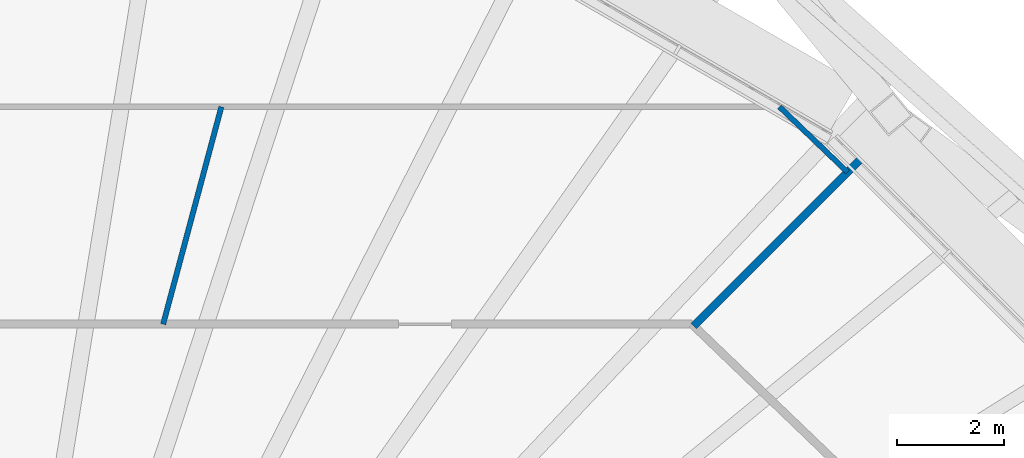
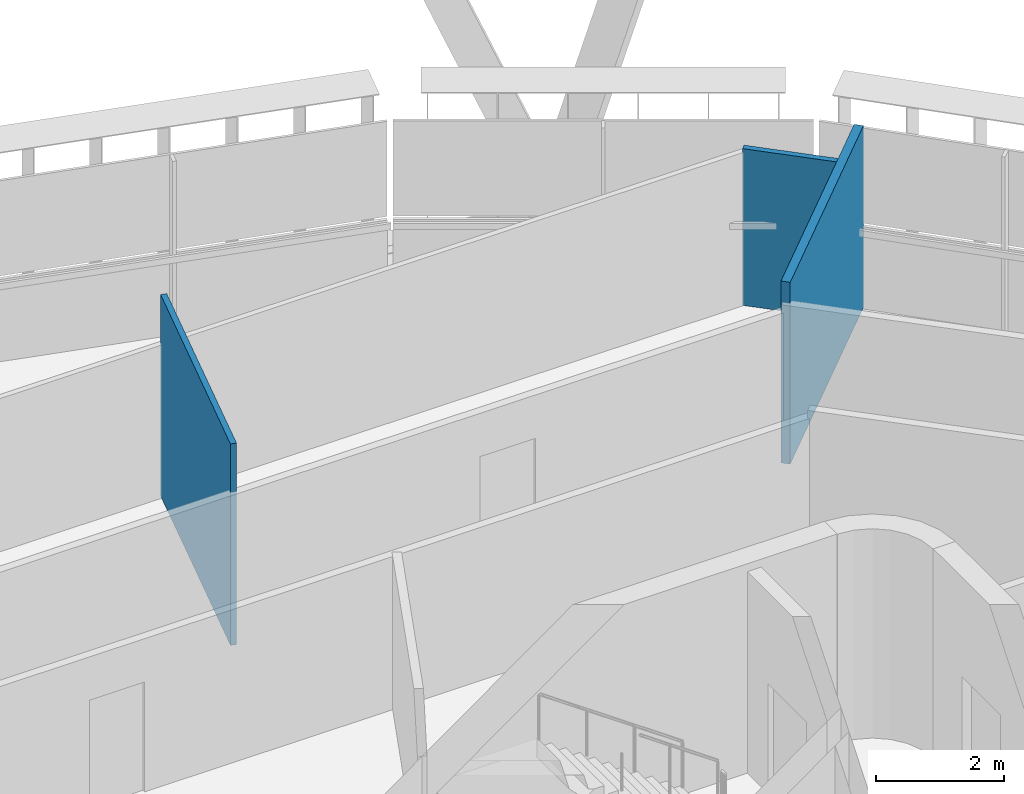
# One storey, part 11 of 18: 3 walls.
"""IFC4 building model written with IfcOpenShell, lengths in metres."""

from ifc_helpers import new_model, si_unit, direction, frame, frame_2d, origin, place, context, subcontext, project, spatial, rectangle, extrude, material, layer, layer_set, type_object, element, save


model = new_model("IFC4")

# Units and contexts
model_context = context("Model", 3, precision=1e-05, world=origin(), true_north=direction((0.0, 1.0)))
body_context = subcontext(model_context, "Body", "Model", "MODEL_VIEW")
ifc_project = project(units=[si_unit("LENGTHUNIT", "METRE"), si_unit("AREAUNIT", "SQUARE_METRE"), si_unit("VOLUMEUNIT", "CUBIC_METRE"), si_unit("PLANEANGLEUNIT", "RADIAN"), si_unit("MASSUNIT", "GRAM", prefix="KILO")], contexts=[model_context])

# Site, building, storey
site_placement = place(None, origin())
site = spatial("IfcSite", under=ifc_project, at=site_placement, CompositionType="ELEMENT")
building_placement = place(site_placement, origin())
building = spatial("IfcBuilding", under=site, at=building_placement, Name="Sahrelin Media Tower", CompositionType="ELEMENT")
storey_placement = place(building_placement, frame((0.0, 0.0, 316.39990234375)))
storey = spatial("IfcBuildingStorey", under=building, at=storey_placement, Name="L70", CompositionType="ELEMENT", Elevation=316.39990234375)

# Walls
ifc_material_1 = material(Name="Fire-rated gypsum board partition")
ifc_layer_1 = layer(ifc_material_1, 0.14990234375)
ifc_layer_set_1 = layer_set([ifc_layer_1], Name="Fire-rated partition 150")
wall_type_1 = type_object("IfcWallType", Name="Fire-rated partition 150", PredefinedType="PARTITIONING", material=ifc_layer_set_1)
wall_1_placement = place(storey_placement, frame((13.617919921875, 13.616943359375, 0.0), z_axis=(0.0, 0.0, 1.0), x_axis=(0.707106781187, 0.707106781187, 0.0)))
element("IfcWall", 1, at=wall_1_placement, inside=storey, type_object=wall_type_1, Name="Wall", PredefinedType="PARTITIONING", context=body_context, shape_type="SweptSolid", body=[
    extrude(rectangle(XDim=4.427978515625, YDim=0.14990234375, at=frame_2d((2.2138671875, 0.0))), origin(), (0.0, 0.0, 1.0), 3.47509765625),
])
ifc_material_2 = material(Name="Gypsum board partition")
ifc_layer_2 = layer(ifc_material_2, 0.10009765625)
ifc_layer_set_2 = layer_set([ifc_layer_2], Name="Partition 100")
wall_type_2 = type_object("IfcWallType", Name="Partition 100", PredefinedType="PARTITIONING", material=ifc_layer_set_2)
wall_2_placement = place(storey_placement, frame((15.22607421875, 17.72900390625, 0.0), z_axis=(0.0, 0.0, 1.0), x_axis=(0.72116413062, -0.692764243236, 0.0)))
element("IfcWall", 2, at=wall_2_placement, inside=storey, type_object=wall_type_2, Name="Wall", PredefinedType="PARTITIONING", context=body_context, shape_type="SweptSolid", body=[
    extrude(rectangle(XDim=1.77099609375, YDim=0.10009765625, at=frame_2d((0.885498046875, 0.0))), origin(), (0.0, 0.0, 1.0), 2.995361328125),
])
wall_3_placement = place(storey_placement, frame((3.657958984375, 13.64892578125, 0.0), z_axis=(0.0, 0.0, 1.0), x_axis=(0.258766902147, 0.965939796444, 0.0)))
element("IfcWall", 3, at=wall_3_placement, inside=storey, type_object=wall_type_2, Name="Wall", PredefinedType="PARTITIONING", context=body_context, shape_type="SweptSolid", body=[
    extrude(rectangle(XDim=4.223876953125, YDim=0.10009765625, at=frame_2d((2.11181640625, 0.0))), origin(), (0.0, 0.0, 1.0), 3.85009765625),
])

save(model, "model.ifc")
